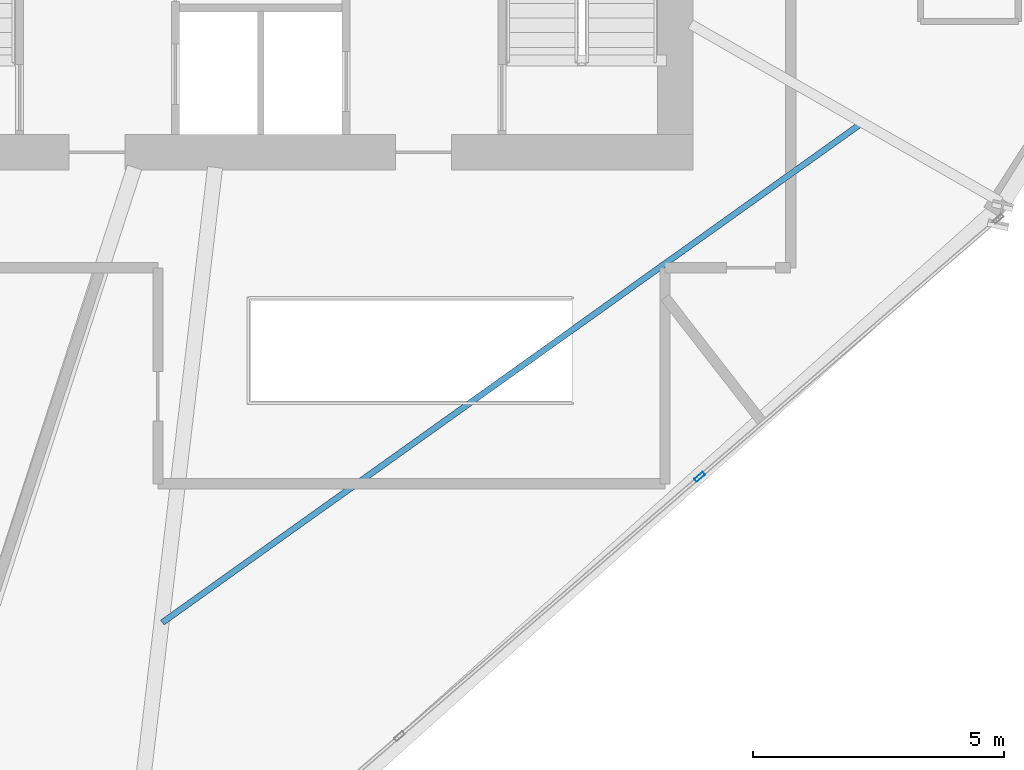
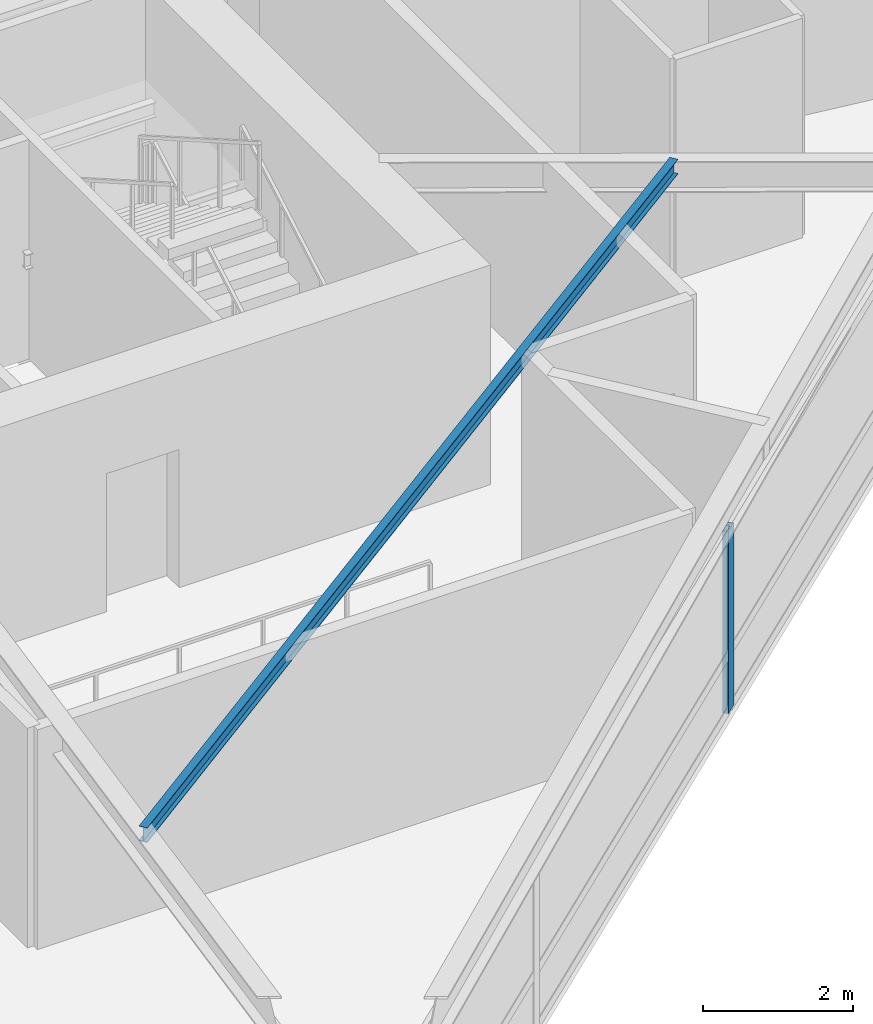
# One storey, part 5 of 16: 1 beam, 1 member, 1 element without a shape of its own.
"""IFC4 building model written with IfcOpenShell, lengths in metres."""

from ifc_helpers import new_model, si_unit, direction, frame, origin, origin_2d, place, context, subcontext, project, spatial, hollow_rectangle, i_section, extrude, source, transform, mapped, material, material_profile, profile_set, type_object, element, aggregate, save


model = new_model("IFC4")

# Units and contexts
model_context = context("Model", 3, precision=1e-05, world=origin(), true_north=direction((0.0, 1.0)))
body_context = subcontext(model_context, "Body", "Model", "MODEL_VIEW")
ifc_project = project(units=[si_unit("LENGTHUNIT", "METRE"), si_unit("AREAUNIT", "SQUARE_METRE"), si_unit("VOLUMEUNIT", "CUBIC_METRE"), si_unit("PLANEANGLEUNIT", "RADIAN"), si_unit("MASSUNIT", "GRAM", prefix="KILO")], contexts=[model_context])

# Site, building, storey
site_placement = place(None, origin())
site = spatial("IfcSite", under=ifc_project, at=site_placement, CompositionType="ELEMENT")
building_placement = place(site_placement, origin())
building = spatial("IfcBuilding", under=site, at=building_placement, Name="Olszyna Solenne Hotel", CompositionType="ELEMENT")
storey_placement = place(building_placement, frame((0.0, 0.0, 138.10009765625)))
storey = spatial("IfcBuildingStorey", under=building, at=storey_placement, Name="L36", CompositionType="ELEMENT", Elevation=138.10009765625)

# Beam
ifc_material_1 = material(Name="Steel S355J2", Category="steel")
ifc_material_profile_1 = material_profile(ifc_material_1, i_section(OverallWidth=0.1201171875, OverallDepth=0.239990234375, WebThickness=0.006103515625, FlangeThickness=0.009765625, at=origin_2d()), Name="IPE 240", Category="load-bearing")
ifc_profile_set_1 = profile_set([ifc_material_profile_1], Name="Steel S355J2")
beam_type = type_object("IfcBeamType", Name="JS-03", PredefinedType="JOIST", material=ifc_profile_set_1)
shared_shape_1 = source(origin(), body_context, "Body", "SweptSolid", [
    extrude(i_section(OverallWidth=0.1201171875, OverallDepth=0.239990234375, WebThickness=0.006103515625, FlangeThickness=0.009765625, at=origin_2d()), origin(), (0.0, 0.0, 1.0), 17.107177734375),
])
beam_placement = place(storey_placement, frame((36.039306640625, 9.786376953125, 3.4599609375), z_axis=(0.813875195249, 0.581039728899, 0.0), x_axis=(-0.581039728899, 0.813875195249, 0.0)))
element("IfcBeam", 1, at=beam_placement, inside=storey, type_object=beam_type, Name="Secondary composite floor joist JS-03 B-L36-1092", PredefinedType="JOIST", context=body_context, shape_type="MappedRepresentation", body=[
    mapped(shared_shape_1, transform((0.0, 0.0, 0.0), x_axis=(1.0, 0.0, 0.0), y_axis=(0.0, 1.0, 0.0), z_axis=(0.0, 0.0, 1.0), scale=1.0)),
])

# Curtain wall, member
ifc_material_2 = material(Name="Anodised bronze aluminium", Category="aluminium")
curtain_wall_type = type_object("IfcCurtainWallType", Name="CW-SYS-6", PredefinedType="NOTDEFINED", material=ifc_material_2)
curtain_wall_placement = place(storey_placement, origin())
curtain_wall = element("IfcCurtainWall", 2, at=curtain_wall_placement, inside=storey, type_object=curtain_wall_type, Name="Unitised curtain wall CW-SYS-6 CW-L36-01", PredefinedType="NOTDEFINED")
ifc_material_profile_2 = material_profile(ifc_material_2, hollow_rectangle(XDim=0.080078125, YDim=0.219970703125, WallThickness=0.0048828125, at=origin_2d()), Name="MULL 220x80x5", Category="load-bearing")
ifc_profile_set_2 = profile_set([ifc_material_profile_2], Name="Anodised bronze aluminium")
member_type = type_object("IfcMemberType", Name="CW-M1", PredefinedType="MULLION", material=ifc_profile_set_2)
shared_shape_2 = source(origin(), body_context, "Body", "SweptSolid", [
    extrude(hollow_rectangle(XDim=0.080078125, YDim=0.219970703125, WallThickness=0.0048828125, at=origin_2d()), origin(), (0.0, 0.0, 1.0), 2.971923828125),
])
member_placement = place(storey_placement, frame((46.7373046875, 12.689208984375, 0.0), z_axis=(0.0, 0.0, 1.0), x_axis=(-0.653804894363, 0.756663174805, 0.0)))
member = element("IfcMember", 3, at=member_placement, type_object=member_type, Name="Curtain-wall mullion CW-M1 CM-L36-01-03", PredefinedType="MULLION", context=body_context, shape_type="MappedRepresentation", body=[
    mapped(shared_shape_2, transform((0.0, 0.0, 0.0), x_axis=(1.0, 0.0, 0.0), y_axis=(0.0, 1.0, 0.0), z_axis=(0.0, 0.0, 1.0), scale=1.0)),
])
aggregate(curtain_wall, [member])

save(model, "model.ifc")
